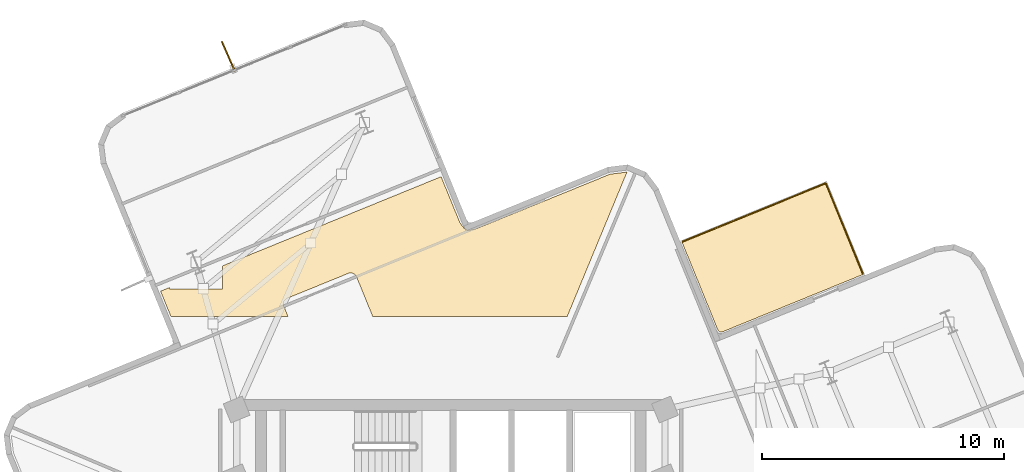
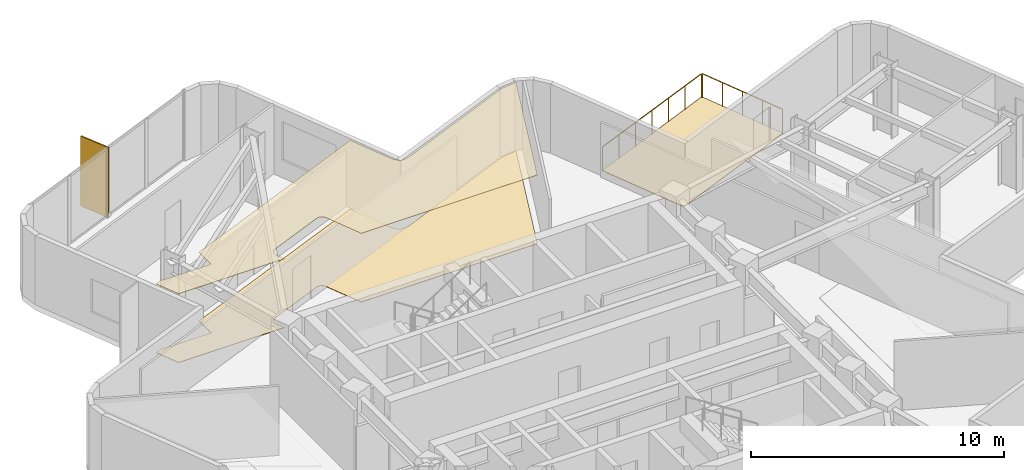
# One storey, part 11 of 11: 3 coverings, 2 railings, 1 shading device.
"""IFC4 building model written with IfcOpenShell, lengths in metres."""

from ifc_helpers import new_model, si_unit, direction, frame, origin, origin_2d, place, context, subcontext, project, spatial, polyline, rectangle, circle, outline, extrude, material, layer, layer_set, type_object, element, save


model = new_model("IFC4")

# Units and contexts
model_context = context("Model", 3, precision=1e-05, world=origin(), true_north=direction((0.0, 1.0)))
body_context = subcontext(model_context, "Body", "Model", "MODEL_VIEW")
ifc_project = project(units=[si_unit("LENGTHUNIT", "METRE"), si_unit("AREAUNIT", "SQUARE_METRE"), si_unit("VOLUMEUNIT", "CUBIC_METRE"), si_unit("PLANEANGLEUNIT", "RADIAN"), si_unit("MASSUNIT", "GRAM", prefix="KILO")], contexts=[model_context])

# Site, building, storey
site_placement = place(None, origin())
site = spatial("IfcSite", under=ifc_project, at=site_placement, CompositionType="ELEMENT")
building_placement = place(site_placement, origin())
building = spatial("IfcBuilding", under=site, at=building_placement, Name="Solmarez Civic Tower", CompositionType="ELEMENT")
storey_placement = place(building_placement, frame((0.0, 0.0, 177.47998046875)))
storey = spatial("IfcBuildingStorey", under=building, at=storey_placement, Name="L47", CompositionType="ELEMENT", Elevation=177.47998046875)

# Coverings
ifc_material_1 = material(Name="Perforated Mineral-Fibre Acoustic Ceiling")
ifc_layer_1 = layer(ifc_material_1, 0.02490234375)
ifc_layer_set_1 = layer_set([ifc_layer_1], Name="Perforated Mineral-Fibre Acoustic Ceiling")
covering_type_1 = type_object("IfcCoveringType", Name="COV-CEIL-ACOUSTIC", PredefinedType="CEILING", material=ifc_layer_set_1)
covering_1_placement = place(storey_placement, frame((0.0, 0.0, 3.31494140625)))
element("IfcCovering", 1, at=covering_1_placement, inside=storey, type_object=covering_type_1, Name="L47 Suspended Acoustic Ceiling 1", PredefinedType="CEILING", context=body_context, shape_type="SweptSolid", body=[
    extrude(outline(polyline([(-11.991943359375, 13.239990234375), (-11.568115234375, 12.199951171875), (-6.72802734375, 12.199951171875), (-6.89208984375, 12.60107421875), (-6.89404296875, 12.60595703125), (-6.89990234375, 12.623046875), (-6.905029296875, 12.639892578125), (-6.906982421875, 12.64892578125), (-6.910888671875, 12.673095703125), (-6.912109375, 12.697021484375), (-6.912109375, 12.70703125), (-6.910888671875, 12.72900390625), (-6.907958984375, 12.75), (-6.906982421875, 12.7548828125), (-6.89990234375, 12.781982421875), (-6.89697265625, 12.791015625), (-6.89208984375, 12.802978515625), (-6.889892578125, 12.80810546875), (-6.882080078125, 12.824951171875), (-6.873046875, 12.842041015625), (-6.862060546875, 12.85791015625), (-6.85595703125, 12.865966796875), (-6.846923828125, 12.876953125), (-6.841064453125, 12.884033203125), (-6.823974609375, 12.902099609375), (-6.805908203125, 12.9169921875), (-6.802001953125, 12.919921875), (-6.781005859375, 12.93408203125), (-6.759033203125, 12.945068359375), (-6.75, 12.948974609375), (-6.743896484375, 12.951904296875), (-4.242919921875, 13.971923828125), (-4.238037109375, 13.97412109375), (-4.218994140625, 13.98095703125), (-4.198974609375, 13.986083984375), (-4.194091796875, 13.987060546875), (-4.175048828125, 13.989990234375), (-4.166015625, 13.990966796875), (-4.14208984375, 13.991943359375), (-4.136962890625, 13.991943359375), (-4.114990234375, 13.990966796875), (-4.093994140625, 13.988037109375), (-4.089111328125, 13.987060546875), (-4.06201171875, 13.97998046875), (-4.052978515625, 13.97705078125), (-4.041015625, 13.971923828125), (-4.035888671875, 13.969970703125), (-4.01904296875, 13.9619140625), (-4.001953125, 13.952880859375), (-3.986083984375, 13.94189453125), (-3.97802734375, 13.93603515625), (-3.97412109375, 13.93310546875), (-3.9560546875, 13.91796875), (-3.93896484375, 13.89990234375), (-3.93310546875, 13.89306640625), (-3.919921875, 13.8759765625), (-3.908935546875, 13.85791015625), (-3.89892578125, 13.839111328125), (-3.89501953125, 13.830078125), (-3.89208984375, 13.823974609375), (-3.22900390625, 12.199951171875), (4.81201171875, 12.199951171875), (7.278076171875, 18.157958984375), (7.27197265625, 18.159912109375), (6.569091796875, 18.071044921875), (1.032958984375, 15.81201171875), (1.010009765625, 15.803955078125), (1.0029296875, 15.802001953125), (0.99609375, 15.800048828125), (0.967041015625, 15.7939453125), (0.95703125, 15.79296875), (0.787109375, 15.77099609375), (0.759033203125, 15.76904296875), (0.742919921875, 15.76904296875), (0.7119140625, 15.77099609375), (0.70703125, 15.77197265625), (0.700927734375, 15.77294921875), (0.68408203125, 15.77490234375), (0.66796875, 15.779052734375), (0.660888671875, 15.781005859375), (0.634033203125, 15.791015625), (0.626953125, 15.7939453125), (0.60498046875, 15.804931640625), (0.597900390625, 15.80908203125), (0.5849609375, 15.81689453125), (0.5791015625, 15.821044921875), (0.56005859375, 15.8349609375), (0.553955078125, 15.840087890625), (0.5390625, 15.85302734375), (0.533935546875, 15.85791015625), (0.52099609375, 15.873046875), (0.51611328125, 15.87890625), (0.510009765625, 15.886962890625), (0.406005859375, 16.02392578125), (0.39794921875, 16.034912109375), (0.39404296875, 16.041015625), (0.3798828125, 16.06494140625), (0.3740234375, 16.076904296875), (0.366943359375, 16.092041015625), (-0.39990234375, 17.970947265625), (-9.43310546875, 14.284912109375), (-9.43310546875, 13.3330078125), (-11.633056640625, 13.3330078125), (-11.633056640625, 13.386962890625), (-11.991943359375, 13.239990234375)])), origin(), (0.0, 0.0, 1.0), 0.025146484375),
])
ifc_material_2 = material(Name="Polished Tropical Stone Terrazzo Flooring", Category="masonry")
ifc_layer_2 = layer(ifc_material_2, 0.02001953125)
ifc_layer_set_2 = layer_set([ifc_layer_2], Name="Polished Tropical Stone Terrazzo Flooring")
covering_type_2 = type_object("IfcCoveringType", Name="COV-FLOOR-TERRAZZO", PredefinedType="FLOORING", material=ifc_layer_set_2)
covering_2_placement = place(storey_placement, origin())
element("IfcCovering", 2, at=covering_2_placement, inside=storey, type_object=covering_type_2, Name="L47 Terrazzo Floor Finish 1", PredefinedType="FLOORING", context=body_context, shape_type="SweptSolid", body=[
    extrude(outline(polyline([(-11.991943359375, 13.239990234375), (-11.568115234375, 12.199951171875), (-6.72802734375, 12.199951171875), (-6.89208984375, 12.60107421875), (-6.89404296875, 12.60595703125), (-6.89990234375, 12.623046875), (-6.905029296875, 12.639892578125), (-6.906982421875, 12.64892578125), (-6.910888671875, 12.673095703125), (-6.912109375, 12.697021484375), (-6.912109375, 12.70703125), (-6.910888671875, 12.72900390625), (-6.907958984375, 12.75), (-6.906982421875, 12.7548828125), (-6.89990234375, 12.781982421875), (-6.89697265625, 12.791015625), (-6.89208984375, 12.802978515625), (-6.889892578125, 12.80810546875), (-6.882080078125, 12.824951171875), (-6.873046875, 12.842041015625), (-6.862060546875, 12.85791015625), (-6.85595703125, 12.865966796875), (-6.846923828125, 12.876953125), (-6.841064453125, 12.884033203125), (-6.823974609375, 12.902099609375), (-6.805908203125, 12.9169921875), (-6.802001953125, 12.919921875), (-6.781005859375, 12.93408203125), (-6.759033203125, 12.945068359375), (-6.75, 12.948974609375), (-6.743896484375, 12.951904296875), (-4.242919921875, 13.971923828125), (-4.238037109375, 13.97412109375), (-4.218994140625, 13.98095703125), (-4.198974609375, 13.986083984375), (-4.194091796875, 13.987060546875), (-4.175048828125, 13.989990234375), (-4.166015625, 13.990966796875), (-4.14208984375, 13.991943359375), (-4.136962890625, 13.991943359375), (-4.114990234375, 13.990966796875), (-4.093994140625, 13.988037109375), (-4.089111328125, 13.987060546875), (-4.06201171875, 13.97998046875), (-4.052978515625, 13.97705078125), (-4.041015625, 13.971923828125), (-4.035888671875, 13.969970703125), (-4.01904296875, 13.9619140625), (-4.001953125, 13.952880859375), (-3.986083984375, 13.94189453125), (-3.97802734375, 13.93603515625), (-3.97412109375, 13.93310546875), (-3.9560546875, 13.91796875), (-3.93896484375, 13.89990234375), (-3.93310546875, 13.89306640625), (-3.919921875, 13.8759765625), (-3.908935546875, 13.85791015625), (-3.89892578125, 13.839111328125), (-3.89501953125, 13.830078125), (-3.89208984375, 13.823974609375), (-3.22900390625, 12.199951171875), (4.81201171875, 12.199951171875), (7.278076171875, 18.157958984375), (7.27197265625, 18.159912109375), (6.569091796875, 18.071044921875), (1.032958984375, 15.81201171875), (1.010009765625, 15.803955078125), (1.0029296875, 15.802001953125), (0.99609375, 15.800048828125), (0.967041015625, 15.7939453125), (0.95703125, 15.79296875), (0.787109375, 15.77099609375), (0.759033203125, 15.76904296875), (0.742919921875, 15.76904296875), (0.7119140625, 15.77099609375), (0.70703125, 15.77197265625), (0.700927734375, 15.77294921875), (0.68408203125, 15.77490234375), (0.66796875, 15.779052734375), (0.660888671875, 15.781005859375), (0.634033203125, 15.791015625), (0.626953125, 15.7939453125), (0.60498046875, 15.804931640625), (0.597900390625, 15.80908203125), (0.5849609375, 15.81689453125), (0.5791015625, 15.821044921875), (0.56005859375, 15.8349609375), (0.553955078125, 15.840087890625), (0.5390625, 15.85302734375), (0.533935546875, 15.85791015625), (0.52099609375, 15.873046875), (0.51611328125, 15.87890625), (0.510009765625, 15.886962890625), (0.406005859375, 16.02392578125), (0.39794921875, 16.034912109375), (0.39404296875, 16.041015625), (0.3798828125, 16.06494140625), (0.3740234375, 16.076904296875), (0.366943359375, 16.092041015625), (-0.39990234375, 17.970947265625), (-9.43310546875, 14.284912109375), (-9.43310546875, 13.3330078125), (-11.633056640625, 13.3330078125), (-11.633056640625, 13.386962890625), (-11.991943359375, 13.239990234375)])), origin(), (0.0, 0.0, 1.0), 0.02001953125),
])
ifc_material_3 = material(Name="Elastomeric Terrace Waterproofing Membrane")
ifc_layer_3 = layer(ifc_material_3, 0.030029296875)
ifc_layer_set_3 = layer_set([ifc_layer_3], Name="Elastomeric Terrace Waterproofing Membrane")
covering_type_3 = type_object("IfcCoveringType", Name="COV-MEMBRANE-ROOF", PredefinedType="ROOFING", material=ifc_layer_set_3)
covering_3_placement = place(storey_placement, origin())
element("IfcCovering", 3, at=covering_3_placement, inside=storey, type_object=covering_type_3, Name="L47 Balcony Waterproofing NE", PredefinedType="ROOFING", context=body_context, shape_type="SweptSolid", body=[
    extrude(outline(polyline([(11.028076171875, 11.64892578125), (11.10595703125, 11.547119140625), (11.23291015625, 11.56298828125), (17.0390625, 13.93310546875), (15.498046875, 17.708984375), (9.5458984375, 15.280029296875), (11.028076171875, 11.64892578125)])), origin(), (0.0, 0.0, 1.0), 0.030029296875),
])

# Shading device
ifc_material_4 = material(Name="Bronze Anodised Aluminium EN AW-6063 T6", Category="aluminium")
ifc_layer_4 = layer(ifc_material_4, 0.06005859375)
ifc_layer_set_4 = layer_set([ifc_layer_4], Name="Bronze Anodised Aluminium EN AW-6063 T6")
shading_device_type = type_object("IfcShadingDeviceType", Name="FIN-BRONZE-Z34", PredefinedType="USERDEFINED", material=ifc_layer_set_4)
shading_device_placement = place(storey_placement, frame((-9.18994140625, 22.943115234375, -0.0400390625), z_axis=(0.0, 0.0, 1.0), x_axis=(-0.403401569846, 0.915023045309, 0.0)))
element("IfcShadingDevice", 4, at=shading_device_placement, inside=storey, type_object=shading_device_type, Name="L47 Anodised Bronze Solar Fin FIN-L47-04", ObjectType="FIN", PredefinedType="USERDEFINED", context=body_context, shape_type="SweptSolid", body=[
    extrude(rectangle(XDim=1.35009765625, YDim=0.06005859375, at=origin_2d()), origin(), (0.0, 0.0, 1.0), 3.3798828125),
])

# Railings
ifc_material_5 = material(Name="Bronze Anodised Aluminium and Laminated Safety Glass Balustrade", Category="aluminium")
railing_type = type_object("IfcRailingType", Name="GUARD-TERR-1180", PredefinedType="BALUSTRADE", material=ifc_material_5)
railing_1_placement = place(storey_placement, frame((17.02587890625, 13.965087890625, 0.0)))
element("IfcRailing", 5, at=railing_1_placement, inside=storey, type_object=railing_type, Name="L47 Safety Balustrade GRD-BALC-L47-NE-1", PredefinedType="BALUSTRADE", context=body_context, shape_type="SweptSolid", body=[
    extrude(circle(Radius=0.02392578125, at=origin_2d()), frame((0.0, 0.0, 1.15576171875), z_axis=(-0.377859711633, 0.92586286151, 0.0), x_axis=(-0.92586286151, -0.377859711633, 0.0)), (0.0, 0.0, 1.0), 4.009033203125),
    extrude(circle(Radius=0.02099609375, at=origin_2d()), origin(), (0.0, 0.0, 1.0), 1.1318359375),
    extrude(circle(Radius=0.02099609375, at=origin_2d()), frame((-0.378662109375, 0.927978515625, 0.0)), (0.0, 0.0, 1.0), 1.1318359375),
    extrude(circle(Radius=0.02099609375, at=origin_2d()), frame((-0.75732421875, 1.85595703125, 0.0)), (0.0, 0.0, 1.0), 1.1318359375),
    extrude(circle(Radius=0.02099609375, at=origin_2d()), frame((-1.13623046875, 2.783935546875, 0.0)), (0.0, 0.0, 1.0), 1.1318359375),
    extrude(circle(Radius=0.02099609375, at=origin_2d()), frame((-1.514892578125, 3.7119140625, 0.0)), (0.0, 0.0, 1.0), 1.1318359375),
])
railing_2_placement = place(storey_placement, frame((15.466064453125, 17.696044921875, 0.0)))
element("IfcRailing", 6, at=railing_2_placement, inside=storey, type_object=railing_type, Name="L47 Safety Balustrade GRD-BALC-L47-NE-2", PredefinedType="BALUSTRADE", context=body_context, shape_type="SweptSolid", body=[
    extrude(circle(Radius=0.02392578125, at=origin_2d()), frame((0.0, 0.0, 1.15576171875), z_axis=(-0.925862170743, -0.377861404205, 0.0), x_axis=(0.377861404205, -0.925862170743, 0.0)), (0.0, 0.0, 1.0), 6.359619140625),
    extrude(circle(Radius=0.02099609375, at=origin_2d()), origin(), (0.0, 0.0, 1.0), 1.1318359375),
    extrude(circle(Radius=0.02099609375, at=origin_2d()), frame((-0.9814453125, -0.400390625, 0.0)), (0.0, 0.0, 1.0), 1.1318359375),
    extrude(circle(Radius=0.02099609375, at=origin_2d()), frame((-1.962646484375, -0.801025390625, 0.0)), (0.0, 0.0, 1.0), 1.1318359375),
    extrude(circle(Radius=0.02099609375, at=origin_2d()), frame((-2.944091796875, -1.20166015625, 0.0)), (0.0, 0.0, 1.0), 1.1318359375),
    extrude(circle(Radius=0.02099609375, at=origin_2d()), frame((-3.925537109375, -1.60205078125, 0.0)), (0.0, 0.0, 1.0), 1.1318359375),
    extrude(circle(Radius=0.02099609375, at=origin_2d()), frame((-4.90673828125, -2.00244140625, 0.0)), (0.0, 0.0, 1.0), 1.1318359375),
    extrude(circle(Radius=0.02099609375, at=origin_2d()), frame((-5.88818359375, -2.403076171875, 0.0)), (0.0, 0.0, 1.0), 1.1318359375),
])

save(model, "model.ifc")
